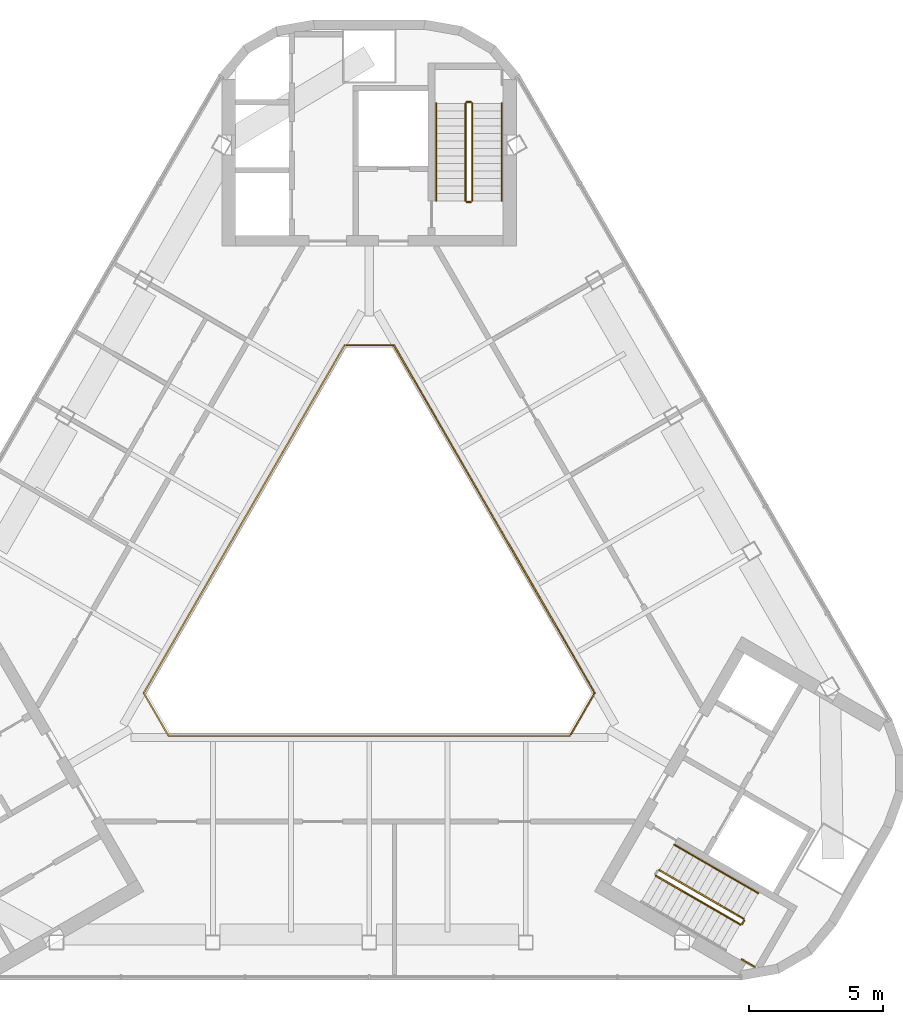
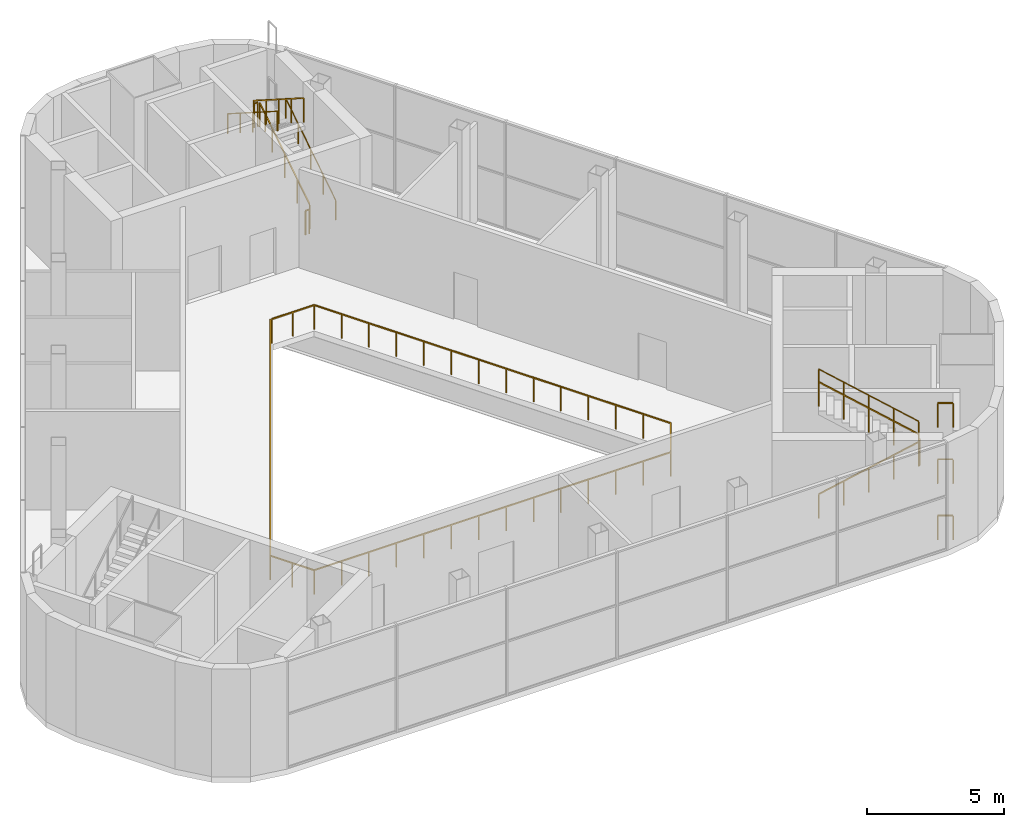
# One storey, part 10 of 11: 15 railings.
"""IFC4 building model written with IfcOpenShell, lengths in metres."""

from ifc_helpers import new_model, si_unit, direction, frame, origin, origin_2d, place, context, subcontext, project, spatial, rectangle, circle, extrude, material, type_object, element, save


model = new_model("IFC4")

# Units and contexts
model_context = context("Model", 3, precision=1e-05, world=origin(), true_north=direction((0.0, 1.0)))
body_context = subcontext(model_context, "Body", "Model", "MODEL_VIEW")
ifc_project = project(units=[si_unit("LENGTHUNIT", "METRE"), si_unit("AREAUNIT", "SQUARE_METRE"), si_unit("VOLUMEUNIT", "CUBIC_METRE"), si_unit("PLANEANGLEUNIT", "RADIAN"), si_unit("MASSUNIT", "GRAM", prefix="KILO")], contexts=[model_context])

# Site, building, storey
site_placement = place(None, origin())
site = spatial("IfcSite", under=ifc_project, at=site_placement, CompositionType="ELEMENT")
building_placement = place(site_placement, origin())
building = spatial("IfcBuilding", under=site, at=building_placement, Name="Apuvela Tower Hotel", CompositionType="ELEMENT")
storey_placement = place(building_placement, frame((0.0, 0.0, 338.300048828125)))
storey = spatial("IfcBuildingStorey", under=building, at=storey_placement, Name="L84", CompositionType="ELEMENT", Elevation=338.300048828125)

# Railings
ifc_material_1 = material(Name="Steel S275 balustrade", Category="steel")
railing_type_1 = type_object("IfcRailingType", Name="COR-GUARD-1100", PredefinedType="GUARDRAIL", material=ifc_material_1)
railing_1_placement = place(storey_placement, frame((3.85009765625, 14.60009765625, 0.178466796875)))
element("IfcRailing", 1, at=railing_1_placement, inside=storey, type_object=railing_type_1, Name="L84 ST1 stair guard 1", PredefinedType="GUARDRAIL", context=body_context, shape_type="SweptSolid", body=[
    extrude(rectangle(XDim=0.048095703125, YDim=0.048095703125, at=origin_2d()), frame((0.0, 0.0, 1.076171875), z_axis=(0.0, 0.843111507901, 0.53773877045), x_axis=(-1.0, 0.0, 0.0)), (0.0, 0.0, 1.0), 4.317138671875),
    extrude(rectangle(XDim=0.0419921875, YDim=0.0419921875, at=origin_2d()), origin(), (0.0, 0.0, 1.0), 1.052001953125),
    extrude(rectangle(XDim=0.0419921875, YDim=0.0419921875, at=origin_2d()), frame((0.0, 0.909912109375, 0.580322265625)), (0.0, 0.0, 1.0), 1.052001953125),
    extrude(rectangle(XDim=0.0419921875, YDim=0.0419921875, at=origin_2d()), frame((0.0, 1.81982421875, 1.16064453125)), (0.0, 0.0, 1.0), 1.052001953125),
    extrude(rectangle(XDim=0.0419921875, YDim=0.0419921875, at=origin_2d()), frame((0.0, 2.72998046875, 1.7412109375)), (0.0, 0.0, 1.0), 1.052001953125),
    extrude(rectangle(XDim=0.0419921875, YDim=0.0419921875, at=origin_2d()), frame((0.0, 3.639892578125, 2.321533203125)), (0.0, 0.0, 1.0), 1.052001953125),
])
railing_2_placement = place(storey_placement, frame((3.800048828125, 18.2900390625, 2.5)))
element("IfcRailing", 2, at=railing_2_placement, inside=storey, type_object=railing_type_1, Name="L84 ST1 stair guard 2", PredefinedType="GUARDRAIL", context=body_context, shape_type="SweptSolid", body=[
    extrude(rectangle(XDim=0.048095703125, YDim=0.048095703125, at=origin_2d()), frame((0.0, 0.0, 1.076171875), z_axis=(-1.0, 0.0, 0.0), x_axis=(0.0, -1.0, 0.0)), (0.0, 0.0, 1.0), 0.150146484375),
    extrude(rectangle(XDim=0.0419921875, YDim=0.0419921875, at=origin_2d()), origin(), (0.0, 0.0, 1.0), 1.052001953125),
    extrude(rectangle(XDim=0.0419921875, YDim=0.0419921875, at=origin_2d()), frame((-0.150146484375, 0.0, 0.0)), (0.0, 0.0, 1.0), 1.052001953125),
])
railing_3_placement = place(storey_placement, frame((3.60009765625, 18.239990234375, 2.678466796875)))
element("IfcRailing", 3, at=railing_3_placement, inside=storey, type_object=railing_type_1, Name="L84 ST1 stair guard 3", PredefinedType="GUARDRAIL", context=body_context, shape_type="SweptSolid", body=[
    extrude(rectangle(XDim=0.048095703125, YDim=0.048095703125, at=origin_2d()), frame((0.0, 0.0, 1.076171875), z_axis=(0.0, -0.843111507901, 0.53773877045), x_axis=(1.0, 0.0, 0.0)), (0.0, 0.0, 1.0), 4.317138671875),
    extrude(rectangle(XDim=0.0419921875, YDim=0.0419921875, at=origin_2d()), origin(), (0.0, 0.0, 1.0), 1.052001953125),
    extrude(rectangle(XDim=0.0419921875, YDim=0.0419921875, at=origin_2d()), frame((0.0, -0.909912109375, 0.580322265625)), (0.0, 0.0, 1.0), 1.052001953125),
    extrude(rectangle(XDim=0.0419921875, YDim=0.0419921875, at=origin_2d()), frame((0.0, -1.81982421875, 1.16064453125)), (0.0, 0.0, 1.0), 1.052001953125),
    extrude(rectangle(XDim=0.0419921875, YDim=0.0419921875, at=origin_2d()), frame((0.0, -2.72998046875, 1.7412109375)), (0.0, 0.0, 1.0), 1.052001953125),
    extrude(rectangle(XDim=0.0419921875, YDim=0.0419921875, at=origin_2d()), frame((0.0, -3.639892578125, 2.321533203125)), (0.0, 0.0, 1.0), 1.052001953125),
])
railing_4_placement = place(storey_placement, frame((3.800048828125, 14.550048828125, 0.0)))
element("IfcRailing", 4, at=railing_4_placement, inside=storey, type_object=railing_type_1, Name="L84 ST1 stair guard 4", PredefinedType="GUARDRAIL", context=body_context, shape_type="SweptSolid", body=[
    extrude(rectangle(XDim=0.048095703125, YDim=0.048095703125, at=origin_2d()), frame((0.0, 0.0, 1.076171875), z_axis=(-1.0, 0.0, 0.0), x_axis=(0.0, -1.0, 0.0)), (0.0, 0.0, 1.0), 0.150146484375),
    extrude(rectangle(XDim=0.0419921875, YDim=0.0419921875, at=origin_2d()), origin(), (0.0, 0.0, 1.0), 1.052001953125),
    extrude(rectangle(XDim=0.0419921875, YDim=0.0419921875, at=origin_2d()), frame((-0.150146484375, 0.0, 0.0)), (0.0, 0.0, 1.0), 1.052001953125),
])
railing_5_placement = place(storey_placement, frame((10.718994140625, -10.63427734375, 0.178466796875)))
element("IfcRailing", 5, at=railing_5_placement, inside=storey, type_object=railing_type_1, Name="L84 ST3 stair guard 1", PredefinedType="GUARDRAIL", context=body_context, shape_type="SweptSolid", body=[
    extrude(rectangle(XDim=0.048095703125, YDim=0.048095703125, at=origin_2d()), frame((0.0, 0.0, 1.076171875), z_axis=(0.730175966949, -0.421525066422, 0.537735693132), x_axis=(0.499962438169, 0.866047089031, 0.0)), (0.0, 0.0, 1.0), 4.317138671875),
    extrude(rectangle(XDim=0.0419921875, YDim=0.0419921875, at=origin_2d()), origin(), (0.0, 0.0, 1.0), 1.052001953125),
    extrude(rectangle(XDim=0.0419921875, YDim=0.0419921875, at=origin_2d()), frame((0.7880859375, -0.455078125, 0.580322265625)), (0.0, 0.0, 1.0), 1.052001953125),
    extrude(rectangle(XDim=0.0419921875, YDim=0.0419921875, at=origin_2d()), frame((1.576171875, -0.909912109375, 1.16064453125)), (0.0, 0.0, 1.0), 1.052001953125),
    extrude(rectangle(XDim=0.0419921875, YDim=0.0419921875, at=origin_2d()), frame((2.3642578125, -1.36474609375, 1.7412109375)), (0.0, 0.0, 1.0), 1.052001953125),
    extrude(rectangle(XDim=0.0419921875, YDim=0.0419921875, at=origin_2d()), frame((3.15234375, -1.81982421875, 2.321533203125)), (0.0, 0.0, 1.0), 1.052001953125),
])
railing_6_placement = place(storey_placement, frame((13.939697265625, -12.435791015625, 2.5)))
element("IfcRailing", 6, at=railing_6_placement, inside=storey, type_object=railing_type_1, Name="L84 ST3 stair guard 2", PredefinedType="GUARDRAIL", context=body_context, shape_type="SweptSolid", body=[
    extrude(rectangle(XDim=0.048095703125, YDim=0.048095703125, at=origin_2d()), frame((0.0, 0.0, 1.076171875), z_axis=(0.499816412211, 0.866131372301, 0.0), x_axis=(-0.866131372301, 0.499816412211, 0.0)), (0.0, 0.0, 1.0), 0.14990234375),
    extrude(rectangle(XDim=0.0419921875, YDim=0.0419921875, at=origin_2d()), origin(), (0.0, 0.0, 1.0), 1.052001953125),
    extrude(rectangle(XDim=0.0419921875, YDim=0.0419921875, at=origin_2d()), frame((0.074951171875, 0.1298828125, 0.0)), (0.0, 0.0, 1.0), 1.052001953125),
])
railing_7_placement = place(storey_placement, frame((13.996337890625, -12.23779296875, 2.678466796875)))
element("IfcRailing", 7, at=railing_7_placement, inside=storey, type_object=railing_type_1, Name="L84 ST3 stair guard 3", PredefinedType="GUARDRAIL", context=body_context, shape_type="SweptSolid", body=[
    extrude(rectangle(XDim=0.048095703125, YDim=0.048095703125, at=origin_2d()), frame((0.0, 0.0, 1.076171875), z_axis=(-0.730158560966, 0.421571566915, 0.537722874553), x_axis=(-0.500012742938, -0.866018046521, 0.0)), (0.0, 0.0, 1.0), 4.3173828125),
    extrude(rectangle(XDim=0.0419921875, YDim=0.0419921875, at=origin_2d()), origin(), (0.0, 0.0, 1.0), 1.052001953125),
    extrude(rectangle(XDim=0.0419921875, YDim=0.0419921875, at=origin_2d()), frame((-0.7880859375, 0.455078125, 0.580322265625)), (0.0, 0.0, 1.0), 1.052001953125),
    extrude(rectangle(XDim=0.0419921875, YDim=0.0419921875, at=origin_2d()), frame((-1.576171875, 0.91015625, 1.16064453125)), (0.0, 0.0, 1.0), 1.052001953125),
    extrude(rectangle(XDim=0.0419921875, YDim=0.0419921875, at=origin_2d()), frame((-2.3642578125, 1.364990234375, 1.7412109375)), (0.0, 0.0, 1.0), 1.052001953125),
    extrude(rectangle(XDim=0.0419921875, YDim=0.0419921875, at=origin_2d()), frame((-3.15234375, 1.820068359375, 2.321533203125)), (0.0, 0.0, 1.0), 1.052001953125),
])
for number, where, name in (
    (8, (13.923828125, -13.754638671875, 2.5), "L84 ST3 stair guard 5"),
    (9, (13.923828125, -13.754638671875, 0.0), "L84 ST3 stair guard 6"),
    (10, (13.923828125, -13.754638671875, 5.0), "L84 ST3 stair guard 7"),
):
    element("IfcRailing", number, at=place(storey_placement, frame(where)), inside=storey, type_object=railing_type_1, Name=name, PredefinedType="GUARDRAIL", context=body_context, shape_type="SweptSolid", body=[
        extrude(rectangle(XDim=0.048095703125, YDim=0.048095703125, at=origin_2d()), frame((0.0, 0.0, 1.076171875), z_axis=(0.865998287773, -0.500046963369, 0.0), x_axis=(0.500046963369, 0.865998287773, 0.0)), (0.0, 0.0, 1.0), 0.564453125),
        extrude(rectangle(XDim=0.0419921875, YDim=0.0419921875, at=origin_2d()), origin(), (0.0, 0.0, 1.0), 1.052001953125),
        extrude(rectangle(XDim=0.0419921875, YDim=0.0419921875, at=origin_2d()), frame((0.48876953125, -0.2822265625, 0.0)), (0.0, 0.0, 1.0), 1.052001953125),
    ])
ifc_material_2 = material(Name="Stainless steel 316 handrail", Category="steel")
railing_type_2 = type_object("IfcRailingType", Name="COR-HANDRAIL-900", PredefinedType="HANDRAIL", material=ifc_material_2)
railing_8_placement = place(storey_placement, frame((4.949951171875, 14.60009765625, 0.178466796875)))
element("IfcRailing", 11, at=railing_8_placement, inside=storey, type_object=railing_type_2, Name="L84 ST1 stair handrail 1", PredefinedType="HANDRAIL", context=body_context, shape_type="SweptSolid", body=[
    extrude(circle(Radius=0.02392578125, at=origin_2d()), frame((0.0, 0.0, 0.8759765625), z_axis=(0.0, 0.843111507901, 0.53773877045), x_axis=(-1.0, 0.0, 0.0)), (0.0, 0.0, 1.0), 4.317138671875),
    extrude(rectangle(XDim=0.0419921875, YDim=0.0419921875, at=origin_2d()), origin(), (0.0, 0.0, 1.0), 0.851806640625),
    extrude(rectangle(XDim=0.0419921875, YDim=0.0419921875, at=origin_2d()), frame((0.0, 0.909912109375, 0.580322265625)), (0.0, 0.0, 1.0), 0.851806640625),
    extrude(rectangle(XDim=0.0419921875, YDim=0.0419921875, at=origin_2d()), frame((0.0, 1.81982421875, 1.16064453125)), (0.0, 0.0, 1.0), 0.851806640625),
    extrude(rectangle(XDim=0.0419921875, YDim=0.0419921875, at=origin_2d()), frame((0.0, 2.72998046875, 1.7412109375)), (0.0, 0.0, 1.0), 0.851806640625),
    extrude(rectangle(XDim=0.0419921875, YDim=0.0419921875, at=origin_2d()), frame((0.0, 3.639892578125, 2.321533203125)), (0.0, 0.0, 1.0), 0.851806640625),
])
railing_9_placement = place(storey_placement, frame((2.5, 18.239990234375, 2.678466796875)))
element("IfcRailing", 12, at=railing_9_placement, inside=storey, type_object=railing_type_2, Name="L84 ST1 stair handrail 2", PredefinedType="HANDRAIL", context=body_context, shape_type="SweptSolid", body=[
    extrude(circle(Radius=0.02392578125, at=origin_2d()), frame((0.0, 0.0, 0.8759765625), z_axis=(0.0, -0.843111507901, 0.53773877045), x_axis=(1.0, 0.0, 0.0)), (0.0, 0.0, 1.0), 4.317138671875),
    extrude(rectangle(XDim=0.0419921875, YDim=0.0419921875, at=origin_2d()), origin(), (0.0, 0.0, 1.0), 0.851806640625),
    extrude(rectangle(XDim=0.0419921875, YDim=0.0419921875, at=origin_2d()), frame((0.0, -0.909912109375, 0.580322265625)), (0.0, 0.0, 1.0), 0.851806640625),
    extrude(rectangle(XDim=0.0419921875, YDim=0.0419921875, at=origin_2d()), frame((0.0, -1.81982421875, 1.16064453125)), (0.0, 0.0, 1.0), 0.851806640625),
    extrude(rectangle(XDim=0.0419921875, YDim=0.0419921875, at=origin_2d()), frame((0.0, -2.72998046875, 1.7412109375)), (0.0, 0.0, 1.0), 0.851806640625),
    extrude(rectangle(XDim=0.0419921875, YDim=0.0419921875, at=origin_2d()), frame((0.0, -3.639892578125, 2.321533203125)), (0.0, 0.0, 1.0), 0.851806640625),
])
railing_10_placement = place(storey_placement, frame((14.54638671875, -11.28515625, 2.678466796875)))
element("IfcRailing", 13, at=railing_10_placement, inside=storey, type_object=railing_type_2, Name="L84 ST3 stair handrail 2", PredefinedType="HANDRAIL", context=body_context, shape_type="SweptSolid", body=[
    extrude(circle(Radius=0.02392578125, at=origin_2d()), frame((0.0, 0.0, 0.8759765625), z_axis=(-0.730158560966, 0.421571566915, 0.537722874553), x_axis=(-0.500012742938, -0.866018046521, 0.0)), (0.0, 0.0, 1.0), 4.3173828125),
    extrude(rectangle(XDim=0.0419921875, YDim=0.0419921875, at=origin_2d()), origin(), (0.0, 0.0, 1.0), 0.851806640625),
    extrude(rectangle(XDim=0.0419921875, YDim=0.0419921875, at=origin_2d()), frame((-0.7880859375, 0.455078125, 0.580322265625)), (0.0, 0.0, 1.0), 0.851806640625),
    extrude(rectangle(XDim=0.0419921875, YDim=0.0419921875, at=origin_2d()), frame((-1.576171875, 0.91015625, 1.16064453125)), (0.0, 0.0, 1.0), 0.851806640625),
    extrude(rectangle(XDim=0.0419921875, YDim=0.0419921875, at=origin_2d()), frame((-2.3642578125, 1.364990234375, 1.7412109375)), (0.0, 0.0, 1.0), 0.851806640625),
    extrude(rectangle(XDim=0.0419921875, YDim=0.0419921875, at=origin_2d()), frame((-3.15234375, 1.820068359375, 2.321533203125)), (0.0, 0.0, 1.0), 0.851806640625),
])
ifc_material_3 = material(Name="Stainless steel 316 rail with laminated glass infill", Category="steel")
railing_type_3 = type_object("IfcRailingType", Name="ENV-GUARD-1100", PredefinedType="GUARDRAIL", material=ifc_material_3)
railing_11_placement = place(storey_placement, frame((-0.923828125, 9.199951171875, 0.0)))
element("IfcRailing", 14, at=railing_11_placement, inside=storey, type_object=railing_type_3, Name="Atrium void guard A L84", PredefinedType="GUARDRAIL", context=body_context, shape_type="SweptSolid", body=[
    extrude(rectangle(XDim=0.050048828125, YDim=0.050048828125, at=origin_2d()), frame((0.0, 0.0, 1.0751953125), z_axis=(-0.499990886379, -0.866030665472, 0.0), x_axis=(0.866030665472, -0.499990886379, 0.0)), (0.0, 0.0, 1.0), 15.010986328125),
    extrude(rectangle(XDim=0.050048828125, YDim=0.050048828125, at=origin_2d()), frame((-7.50537109375, -13.0, 1.0751953125), z_axis=(0.499962699187, -0.866046938348, 0.0), x_axis=(0.866046938348, 0.499962699187, 0.0)), (0.0, 0.0, 1.0), 1.847412109375),
    extrude(rectangle(XDim=0.050048828125, YDim=0.050048828125, at=origin_2d()), frame((-6.581787109375, -14.599853515625, 1.0751953125), z_axis=(1.0, 0.0, 0.0), x_axis=(0.0, 1.0, 0.0)), (0.0, 0.0, 1.0), 15.01123046875),
    extrude(rectangle(XDim=0.0400390625, YDim=0.0400390625, at=origin_2d()), origin(), (0.0, 0.0, 1.0), 1.050048828125),
    extrude(rectangle(XDim=0.0400390625, YDim=0.0400390625, at=origin_2d()), frame((-0.577392578125, -1.0, 0.0)), (0.0, 0.0, 1.0), 1.050048828125),
    extrude(rectangle(XDim=0.0400390625, YDim=0.0400390625, at=origin_2d()), frame((-1.15478515625, -2.0, 0.0)), (0.0, 0.0, 1.0), 1.050048828125),
    extrude(rectangle(XDim=0.0400390625, YDim=0.0400390625, at=origin_2d()), frame((-1.73193359375, -3.0, 0.0)), (0.0, 0.0, 1.0), 1.050048828125),
    extrude(rectangle(XDim=0.0400390625, YDim=0.0400390625, at=origin_2d()), frame((-2.309326171875, -4.0, 0.0)), (0.0, 0.0, 1.0), 1.050048828125),
    extrude(rectangle(XDim=0.0400390625, YDim=0.0400390625, at=origin_2d()), frame((-2.88671875, -5.0, 0.0)), (0.0, 0.0, 1.0), 1.050048828125),
    extrude(rectangle(XDim=0.0400390625, YDim=0.0400390625, at=origin_2d()), frame((-3.464111328125, -6.0, 0.0)), (0.0, 0.0, 1.0), 1.050048828125),
    extrude(rectangle(XDim=0.0400390625, YDim=0.0400390625, at=origin_2d()), frame((-4.041259765625, -7.0, 0.0)), (0.0, 0.0, 1.0), 1.050048828125),
    extrude(rectangle(XDim=0.0400390625, YDim=0.0400390625, at=origin_2d()), frame((-4.61865234375, -8.0, 0.0)), (0.0, 0.0, 1.0), 1.050048828125),
    extrude(rectangle(XDim=0.0400390625, YDim=0.0400390625, at=origin_2d()), frame((-5.196044921875, -9.0, 0.0)), (0.0, 0.0, 1.0), 1.050048828125),
    extrude(rectangle(XDim=0.0400390625, YDim=0.0400390625, at=origin_2d()), frame((-5.7734375, -10.0, 0.0)), (0.0, 0.0, 1.0), 1.050048828125),
    extrude(rectangle(XDim=0.0400390625, YDim=0.0400390625, at=origin_2d()), frame((-6.3505859375, -11.0, 0.0)), (0.0, 0.0, 1.0), 1.050048828125),
    extrude(rectangle(XDim=0.0400390625, YDim=0.0400390625, at=origin_2d()), frame((-6.927978515625, -12.0, 0.0)), (0.0, 0.0, 1.0), 1.050048828125),
    extrude(rectangle(XDim=0.0400390625, YDim=0.0400390625, at=origin_2d()), frame((-7.50537109375, -13.0, 0.0)), (0.0, 0.0, 1.0), 1.050048828125),
    extrude(rectangle(XDim=0.0400390625, YDim=0.0400390625, at=origin_2d()), frame((-7.04345703125, -13.7998046875, 0.0)), (0.0, 0.0, 1.0), 1.050048828125),
    extrude(rectangle(XDim=0.0400390625, YDim=0.0400390625, at=origin_2d()), frame((-6.581787109375, -14.599853515625, 0.0)), (0.0, 0.0, 1.0), 1.050048828125),
    extrude(rectangle(XDim=0.0400390625, YDim=0.0400390625, at=origin_2d()), frame((-5.427001953125, -14.599853515625, 0.0)), (0.0, 0.0, 1.0), 1.050048828125),
    extrude(rectangle(XDim=0.0400390625, YDim=0.0400390625, at=origin_2d()), frame((-4.2724609375, -14.599853515625, 0.0)), (0.0, 0.0, 1.0), 1.050048828125),
    extrude(rectangle(XDim=0.0400390625, YDim=0.0400390625, at=origin_2d()), frame((-3.11767578125, -14.599853515625, 0.0)), (0.0, 0.0, 1.0), 1.050048828125),
    extrude(rectangle(XDim=0.0400390625, YDim=0.0400390625, at=origin_2d()), frame((-1.962890625, -14.599853515625, 0.0)), (0.0, 0.0, 1.0), 1.050048828125),
    extrude(rectangle(XDim=0.0400390625, YDim=0.0400390625, at=origin_2d()), frame((-0.808349609375, -14.599853515625, 0.0)), (0.0, 0.0, 1.0), 1.050048828125),
    extrude(rectangle(XDim=0.0400390625, YDim=0.0400390625, at=origin_2d()), frame((0.346435546875, -14.599853515625, 0.0)), (0.0, 0.0, 1.0), 1.050048828125),
    extrude(rectangle(XDim=0.0400390625, YDim=0.0400390625, at=origin_2d()), frame((1.501220703125, -14.599853515625, 0.0)), (0.0, 0.0, 1.0), 1.050048828125),
    extrude(rectangle(XDim=0.0400390625, YDim=0.0400390625, at=origin_2d()), frame((2.656005859375, -14.599853515625, 0.0)), (0.0, 0.0, 1.0), 1.050048828125),
    extrude(rectangle(XDim=0.0400390625, YDim=0.0400390625, at=origin_2d()), frame((3.810546875, -14.599853515625, 0.0)), (0.0, 0.0, 1.0), 1.050048828125),
    extrude(rectangle(XDim=0.0400390625, YDim=0.0400390625, at=origin_2d()), frame((4.96533203125, -14.599853515625, 0.0)), (0.0, 0.0, 1.0), 1.050048828125),
    extrude(rectangle(XDim=0.0400390625, YDim=0.0400390625, at=origin_2d()), frame((6.1201171875, -14.599853515625, 0.0)), (0.0, 0.0, 1.0), 1.050048828125),
    extrude(rectangle(XDim=0.0400390625, YDim=0.0400390625, at=origin_2d()), frame((7.274658203125, -14.599853515625, 0.0)), (0.0, 0.0, 1.0), 1.050048828125),
    extrude(rectangle(XDim=0.0400390625, YDim=0.0400390625, at=origin_2d()), frame((8.429443359375, -14.599853515625, 0.0)), (0.0, 0.0, 1.0), 1.050048828125),
])
railing_12_placement = place(storey_placement, frame((7.53564453125, -5.347900390625, 0.0)))
element("IfcRailing", 15, at=railing_12_placement, inside=storey, type_object=railing_type_3, Name="Atrium void guard B L84", PredefinedType="GUARDRAIL", context=body_context, shape_type="SweptSolid", body=[
    extrude(rectangle(XDim=0.050048828125, YDim=0.050048828125, at=origin_2d()), frame((0.0, 0.0, 1.0751953125), z_axis=(0.499958946799, 0.866049104564, 0.0), x_axis=(-0.866049104564, 0.499958946799, 0.0)), (0.0, 0.0, 1.0), 1.787353515625),
    extrude(rectangle(XDim=0.050048828125, YDim=0.050048828125, at=origin_2d()), frame((0.8935546875, 1.5478515625, 1.0751953125), z_axis=(-0.499990886379, 0.866030665472, 0.0), x_axis=(-0.866030665472, -0.499990886379, 0.0)), (0.0, 0.0, 1.0), 15.010986328125),
    extrude(rectangle(XDim=0.050048828125, YDim=0.050048828125, at=origin_2d()), frame((-6.61181640625, 14.5478515625, 1.0751953125), z_axis=(-1.0, 0.0, 0.0), x_axis=(0.0, -1.0, 0.0)), (0.0, 0.0, 1.0), 1.78759765625),
    extrude(rectangle(XDim=0.0400390625, YDim=0.0400390625, at=origin_2d()), origin(), (0.0, 0.0, 1.0), 1.050048828125),
    extrude(rectangle(XDim=0.0400390625, YDim=0.0400390625, at=origin_2d()), frame((0.44677734375, 0.77392578125, 0.0)), (0.0, 0.0, 1.0), 1.050048828125),
    extrude(rectangle(XDim=0.0400390625, YDim=0.0400390625, at=origin_2d()), frame((0.8935546875, 1.5478515625, 0.0)), (0.0, 0.0, 1.0), 1.050048828125),
    extrude(rectangle(XDim=0.0400390625, YDim=0.0400390625, at=origin_2d()), frame((0.316162109375, 2.5478515625, 0.0)), (0.0, 0.0, 1.0), 1.050048828125),
    extrude(rectangle(XDim=0.0400390625, YDim=0.0400390625, at=origin_2d()), frame((-0.26123046875, 3.5478515625, 0.0)), (0.0, 0.0, 1.0), 1.050048828125),
    extrude(rectangle(XDim=0.0400390625, YDim=0.0400390625, at=origin_2d()), frame((-0.83837890625, 4.5478515625, 0.0)), (0.0, 0.0, 1.0), 1.050048828125),
    extrude(rectangle(XDim=0.0400390625, YDim=0.0400390625, at=origin_2d()), frame((-1.415771484375, 5.5478515625, 0.0)), (0.0, 0.0, 1.0), 1.050048828125),
    extrude(rectangle(XDim=0.0400390625, YDim=0.0400390625, at=origin_2d()), frame((-1.9931640625, 6.5478515625, 0.0)), (0.0, 0.0, 1.0), 1.050048828125),
    extrude(rectangle(XDim=0.0400390625, YDim=0.0400390625, at=origin_2d()), frame((-2.570556640625, 7.5478515625, 0.0)), (0.0, 0.0, 1.0), 1.050048828125),
    extrude(rectangle(XDim=0.0400390625, YDim=0.0400390625, at=origin_2d()), frame((-3.147705078125, 8.5478515625, 0.0)), (0.0, 0.0, 1.0), 1.050048828125),
    extrude(rectangle(XDim=0.0400390625, YDim=0.0400390625, at=origin_2d()), frame((-3.72509765625, 9.5478515625, 0.0)), (0.0, 0.0, 1.0), 1.050048828125),
    extrude(rectangle(XDim=0.0400390625, YDim=0.0400390625, at=origin_2d()), frame((-4.302490234375, 10.5478515625, 0.0)), (0.0, 0.0, 1.0), 1.050048828125),
    extrude(rectangle(XDim=0.0400390625, YDim=0.0400390625, at=origin_2d()), frame((-4.8798828125, 11.5478515625, 0.0)), (0.0, 0.0, 1.0), 1.050048828125),
    extrude(rectangle(XDim=0.0400390625, YDim=0.0400390625, at=origin_2d()), frame((-5.45703125, 12.5478515625, 0.0)), (0.0, 0.0, 1.0), 1.050048828125),
    extrude(rectangle(XDim=0.0400390625, YDim=0.0400390625, at=origin_2d()), frame((-6.034423828125, 13.5478515625, 0.0)), (0.0, 0.0, 1.0), 1.050048828125),
    extrude(rectangle(XDim=0.0400390625, YDim=0.0400390625, at=origin_2d()), frame((-6.61181640625, 14.5478515625, 0.0)), (0.0, 0.0, 1.0), 1.050048828125),
    extrude(rectangle(XDim=0.0400390625, YDim=0.0400390625, at=origin_2d()), frame((-7.505615234375, 14.5478515625, 0.0)), (0.0, 0.0, 1.0), 1.050048828125),
    extrude(rectangle(XDim=0.0400390625, YDim=0.0400390625, at=origin_2d()), frame((-8.3994140625, 14.5478515625, 0.0)), (0.0, 0.0, 1.0), 1.050048828125),
])

save(model, "model.ifc")
